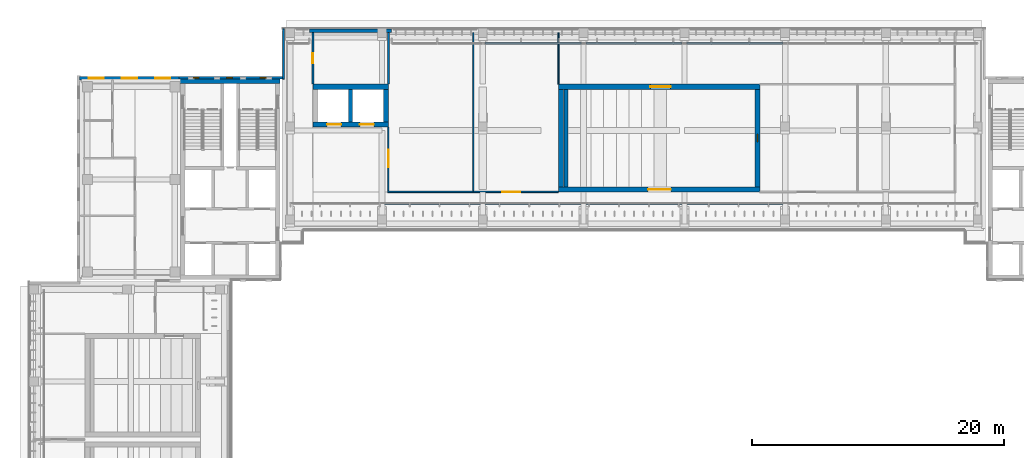
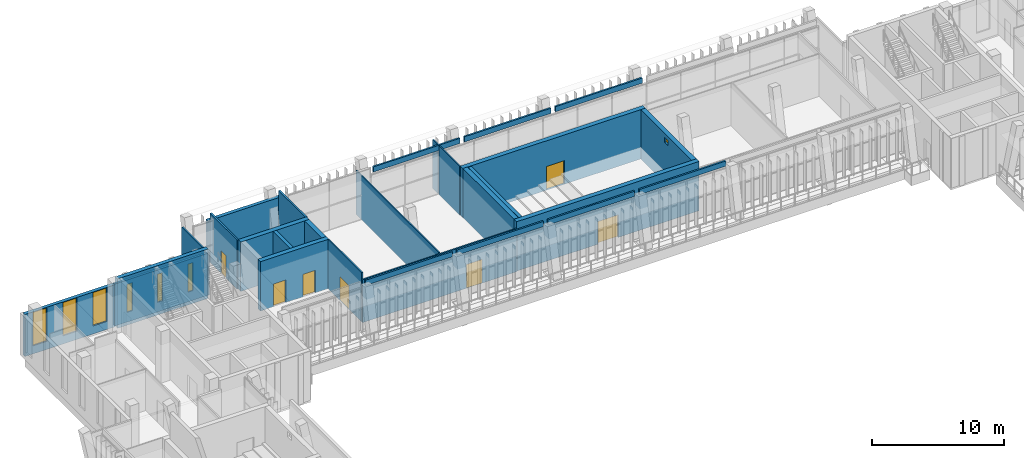
# One storey, part 48 of 74: 28 walls, 7 doors, 7 windows, 14 openings.
"""IFC4 building model written with IfcOpenShell, lengths in metres."""

from ifc_helpers import new_model, si_unit, direction, frame, frame_2d, origin, place, context, subcontext, project, spatial, rectangle, extrude, material, layer, layer_set, type_object, element, fill, save


model = new_model("IFC4")

# Units and contexts
model_context = context("Model", 3, precision=1e-05, world=origin(), true_north=direction((0.0, 1.0)))
body_context = subcontext(model_context, "Body", "Model", "MODEL_VIEW")
ifc_project = project(units=[si_unit("LENGTHUNIT", "METRE"), si_unit("AREAUNIT", "SQUARE_METRE"), si_unit("VOLUMEUNIT", "CUBIC_METRE"), si_unit("PLANEANGLEUNIT", "RADIAN"), si_unit("MASSUNIT", "GRAM", prefix="KILO")], contexts=[model_context])

# Site, building, storey
site_placement = place(None, origin())
site = spatial("IfcSite", under=ifc_project, at=site_placement, CompositionType="ELEMENT")
building_placement = place(site_placement, origin())
building = spatial("IfcBuilding", under=site, at=building_placement, Name="Lantern Court Media Centre", CompositionType="ELEMENT")
storey_placement = place(building_placement, frame((0.0, 0.0, 19.199951171875)))
storey = spatial("IfcBuildingStorey", under=building, at=storey_placement, Name="L04", CompositionType="ELEMENT", Elevation=19.199951171875)

# Wall, opening, door
ifc_material_1 = material(Name="Gypsum board partition")
ifc_layer_1 = layer(ifc_material_1, 0.125)
ifc_layer_set_1 = layer_set([ifc_layer_1], Name="Gypsum board partition")
wall_type_1 = type_object("IfcWallType", Name="Corridor partition 125", PredefinedType="PARTITIONING", material=ifc_layer_set_1)
wall_1_placement = place(storey_placement, frame((32.5, 103.112548828125, 0.0), z_axis=(0.0, 0.0, 1.0), x_axis=(0.0, 1.0, 0.0)))
wall_1 = element("IfcWall", 1, at=wall_1_placement, inside=storey, type_object=wall_type_1, Name="L04 partition 007", PredefinedType="PARTITIONING", context=body_context, shape_type="SweptSolid", body=[
    extrude(rectangle(XDim=5.08251953125, YDim=0.125, at=frame_2d((2.541259765625, 0.0))), origin(), (0.0, 0.0, 1.0), 4.56005859375),
])
opening_1_placement = place(wall_1_placement, frame((1.903564453125, 0.0, 0.0)))
opening_1 = element("IfcOpeningElement", 2, at=opening_1_placement, cuts=wall_1, Name="Opening L04-010", PredefinedType="OPENING", context=body_context, shape_type="SweptSolid", body=[
    extrude(rectangle(XDim=1.39990234375, YDim=2.199951171875, at=frame_2d((0.699951171875, 1.10009765625))), frame((0.0, 0.072509765625, 0.0), z_axis=(0.0, -1.0, 0.0), x_axis=(1.0, 0.0, 0.0)), (0.0, 0.0, 1.0), 0.14501953125),
])
ifc_material_2 = material(Name="Solid-core timber door leaf", Category="wood")
door_type_1 = type_object("IfcDoorType", Name="Double door 1400x2200", OperationType="NOTDEFINED", PredefinedType="DOOR", material=ifc_material_2)
door_1_placement = place(opening_1_placement, frame((1.39990234375, 0.0, 0.0), z_axis=(0.0, 0.0, 1.0), x_axis=(-1.0, 0.0, 0.0)))
door_1 = element("IfcDoor", 3, at=door_1_placement, inside=storey, type_object=door_type_1, Name="L04 Production Office 05 door", OperationType="DOUBLE_DOOR_SINGLE_SWING", OverallHeight=2.199951171875, OverallWidth=1.39990234375, PredefinedType="DOOR", context=body_context, shape_type="SweptSolid", body=[
    extrude(rectangle(XDim=1.39990234375, YDim=2.199951171875, at=frame_2d((0.699951171875, 1.10009765625))), frame((0.0, 0.02490234375, 0.0), z_axis=(0.0, -1.0, 0.0), x_axis=(1.0, 0.0, 0.0)), (0.0, 0.0, 1.0), 0.050048828125),
])
fill(opening_1, door_1)

wall_2_placement = place(storey_placement, frame((32.4375, 103.050048828125, 0.0), z_axis=(0.0, 0.0, 1.0), x_axis=(1.0, 0.0, 0.0)))
wall_2 = element("IfcWall", 4, at=wall_2_placement, inside=storey, type_object=wall_type_1, Name="L04 partition 019", PredefinedType="PARTITIONING", context=body_context, shape_type="SweptSolid", body=[
    extrude(rectangle(XDim=13.5625, YDim=0.125, at=frame_2d((6.78125, 0.0))), origin(), (0.0, 0.0, 1.0), 3.97998046875),
])
opening_2_placement = place(wall_2_placement, frame((9.115966796875, 0.0, 0.0)))
opening_2 = element("IfcOpeningElement", 5, at=opening_2_placement, cuts=wall_2, Name="Opening L04-011", PredefinedType="OPENING", context=body_context, shape_type="SweptSolid", body=[
    extrude(rectangle(XDim=1.39990234375, YDim=2.199951171875, at=frame_2d((0.699951171875, 1.10009765625))), frame((0.0, 0.072509765625, 0.0), z_axis=(0.0, -1.0, 0.0), x_axis=(1.0, 0.0, 0.0)), (0.0, 0.0, 1.0), 0.14501953125),
])
door_2_placement = place(opening_2_placement, origin())
door_2 = element("IfcDoor", 6, at=door_2_placement, inside=storey, type_object=door_type_1, Name="L04 Production Office 06 door", OperationType="DOUBLE_DOOR_SINGLE_SWING", OverallHeight=2.199951171875, OverallWidth=1.39990234375, PredefinedType="DOOR", context=body_context, shape_type="SweptSolid", body=[
    extrude(rectangle(XDim=1.39990234375, YDim=2.199951171875, at=frame_2d((0.699951171875, 1.10009765625))), frame((0.0, 0.02490234375, 0.0), z_axis=(0.0, -1.0, 0.0), x_axis=(1.0, 0.0, 0.0)), (0.0, 0.0, 1.0), 0.050048828125),
])
fill(opening_2, door_2)

# Walls
ifc_material_3 = material(Name="Insulated rendered blockwork", Category="masonry")
ifc_layer_2 = layer(ifc_material_3, 0.14990234375)
ifc_layer_set_2 = layer_set([ifc_layer_2], Name="Insulated rendered blockwork")
wall_type_2 = type_object("IfcWallType", Name="Head infill wall 150", PredefinedType="SOLIDWALL", material=ifc_layer_set_2)
for number, where, z_axis, x_axis, name in (
    (7, (40.199951171875, 114.85009765625, 4.10009765625), (0.0, 0.0, 1.0), (1.0, 0.0, 0.0), "Head infill wall N outer L04"),
    (8, (48.199951171875, 114.85009765625, 4.10009765625), (0.0, 0.0, 1.0), (1.0, 0.0, 0.0), "Head infill wall N outer L04"),
    (9, (56.199951171875, 114.85009765625, 4.10009765625), (0.0, 0.0, 1.0), (1.0, 0.0, 0.0), "Head infill wall N outer L04"),
    (10, (32.199951171875, 102.14990234375, 4.10009765625), (0.0, 0.0, 1.0), (1.0, 0.0, 0.0), "Head infill wall N inner L04"),
    (11, (40.199951171875, 102.14990234375, 4.10009765625), (0.0, 0.0, 1.0), (1.0, 0.0, 0.0), "Head infill wall N inner L04"),
    (12, (48.199951171875, 102.14990234375, 4.10009765625), (0.0, 0.0, 1.0), (1.0, 0.0, 0.0), "Head infill wall N inner L04"),
    (13, (56.199951171875, 102.14990234375, 4.10009765625), (0.0, 0.0, 1.0), (1.0, 0.0, 0.0), "Head infill wall N inner L04"),
):
    element("IfcWall", number, at=place(storey_placement, frame(where, z_axis=z_axis, x_axis=x_axis)), inside=storey, type_object=wall_type_2, Name=name, PredefinedType="SOLIDWALL", context=body_context, shape_type="SweptSolid", body=[
        extrude(rectangle(XDim=7.60009765625, YDim=0.14990234375, at=frame_2d((3.800048828125, 0.0))), origin(), (0.0, 0.0, 1.0), 0.47998046875),
    ])

# Wall, openings, windows
ifc_material_4 = material(Name="Honed limestone cladding on blockwork", Category="masonry")
ifc_layer_3 = layer(ifc_material_4, 0.300048828125)
ifc_layer_set_3 = layer_set([ifc_layer_3], Name="Honed limestone cladding on blockwork")
wall_type_3 = type_object("IfcWallType", Name="Limestone block wall 300", PredefinedType="SOLIDWALL", material=ifc_layer_set_3)
wall_3_placement = place(storey_placement, frame((8.0, 112.070068359375, 0.0), z_axis=(0.0, 0.0, 1.0), x_axis=(1.0, 0.0, 0.0)))
wall_3 = element("IfcWall", 14, at=wall_3_placement, inside=storey, type_object=wall_type_3, Name="Limestone wall NW N L04", PredefinedType="SOLIDWALL", context=body_context, shape_type="SweptSolid", body=[
    extrude(rectangle(XDim=7.89990234375, YDim=0.300048828125, at=frame_2d((3.949951171875, 0.0))), origin(), (0.0, 0.0, 1.0), 3.900146484375),
])
opening_3_placement = place(wall_3_placement, frame((0.716552734375, 0.0, 0.75)))
opening_3 = element("IfcOpeningElement", 15, at=opening_3_placement, cuts=wall_3, Name="Opening WN-T", PredefinedType="OPENING", context=body_context, shape_type="SweptSolid", body=[
    extrude(rectangle(XDim=1.199951171875, YDim=3.10009765625, at=frame_2d((0.60009765625, 1.550048828125))), frame((0.0, 0.159912109375, 0.0), z_axis=(0.0, -1.0, 0.0), x_axis=(1.0, 0.0, 0.0)), (0.0, 0.0, 1.0), 0.320068359375),
])
opening_4_placement = place(wall_3_placement, frame((3.35009765625, 0.0, 0.75)))
opening_4 = element("IfcOpeningElement", 16, at=opening_4_placement, cuts=wall_3, Name="Opening WN-T", PredefinedType="OPENING", context=body_context, shape_type="SweptSolid", body=[
    extrude(rectangle(XDim=1.199951171875, YDim=3.10009765625, at=frame_2d((0.60009765625, 1.550048828125))), frame((0.0, 0.159912109375, 0.0), z_axis=(0.0, -1.0, 0.0), x_axis=(1.0, 0.0, 0.0)), (0.0, 0.0, 1.0), 0.320068359375),
])
opening_5_placement = place(wall_3_placement, frame((5.9833984375, 0.0, 0.75)))
opening_5 = element("IfcOpeningElement", 17, at=opening_5_placement, cuts=wall_3, Name="Opening WN-T", PredefinedType="OPENING", context=body_context, shape_type="SweptSolid", body=[
    extrude(rectangle(XDim=1.199951171875, YDim=3.10009765625, at=frame_2d((0.60009765625, 1.550048828125))), frame((0.0, 0.159912109375, 0.0), z_axis=(0.0, -1.0, 0.0), x_axis=(1.0, 0.0, 0.0)), (0.0, 0.0, 1.0), 0.320068359375),
])
ifc_material_5 = material(Name="Anodised aluminium and glass", Category="aluminium")
window_type_1 = type_object("IfcWindowType", Name="Tall window 1200x3100", PartitioningType="SINGLE_PANEL", PredefinedType="WINDOW", material=ifc_material_5)
window_1_placement = place(opening_3_placement, origin())
window_1 = element("IfcWindow", 18, at=window_1_placement, inside=storey, type_object=window_type_1, Name="Window NW N L04", OverallHeight=3.10009765625, OverallWidth=1.199951171875, PartitioningType="SINGLE_PANEL", PredefinedType="WINDOW", context=body_context, shape_type="SweptSolid", body=[
    extrude(rectangle(XDim=1.199951171875, YDim=3.10009765625, at=frame_2d((0.60009765625, 1.550048828125))), frame((0.0, 0.030029296875, 0.0), z_axis=(0.0, -1.0, 0.0), x_axis=(1.0, 0.0, 0.0)), (0.0, 0.0, 1.0), 0.06005859375),
])
fill(opening_3, window_1)
window_2_placement = place(opening_4_placement, origin())
window_2 = element("IfcWindow", 19, at=window_2_placement, inside=storey, type_object=window_type_1, Name="Window NW N L04", OverallHeight=3.10009765625, OverallWidth=1.199951171875, PartitioningType="SINGLE_PANEL", PredefinedType="WINDOW", context=body_context, shape_type="SweptSolid", body=[
    extrude(rectangle(XDim=1.199951171875, YDim=3.10009765625, at=frame_2d((0.60009765625, 1.550048828125))), frame((0.0, 0.030029296875, 0.0), z_axis=(0.0, -1.0, 0.0), x_axis=(1.0, 0.0, 0.0)), (0.0, 0.0, 1.0), 0.06005859375),
])
fill(opening_4, window_2)
window_3_placement = place(opening_5_placement, origin())
window_3 = element("IfcWindow", 20, at=window_3_placement, inside=storey, type_object=window_type_1, Name="Window NW N L04", OverallHeight=3.10009765625, OverallWidth=1.199951171875, PartitioningType="SINGLE_PANEL", PredefinedType="WINDOW", context=body_context, shape_type="SweptSolid", body=[
    extrude(rectangle(XDim=1.199951171875, YDim=3.10009765625, at=frame_2d((0.60009765625, 1.550048828125))), frame((0.0, 0.030029296875, 0.0), z_axis=(0.0, -1.0, 0.0), x_axis=(1.0, 0.0, 0.0)), (0.0, 0.0, 1.0), 0.06005859375),
])
fill(opening_5, window_3)

# Walls
ifc_layer_4 = layer(ifc_material_4, 0.139892578125)
ifc_layer_set_4 = layer_set([ifc_layer_4], Name="Honed limestone cladding on blockwork")
wall_type_4 = type_object("IfcWallType", Name="Limestone closure wall 140", PredefinedType="SOLIDWALL", material=ifc_layer_set_4)
wall_4_placement = place(storey_placement, frame((24.169921875, 112.0, 0.0), z_axis=(0.0, 0.0, 1.0), x_axis=(0.0, 1.0, 0.0)))
element("IfcWall", 21, at=wall_4_placement, inside=storey, type_object=wall_type_4, Name="Limestone closure wall N-NW L04", PredefinedType="SOLIDWALL", context=body_context, shape_type="SweptSolid", body=[
    extrude(rectangle(XDim=4.0, YDim=0.139892578125, at=frame_2d((2.0, 0.0))), origin(), (0.0, 0.0, 1.0), 3.900146484375),
])
ifc_layer_5 = layer(ifc_material_4, 0.300048828125)
ifc_layer_set_5 = layer_set([ifc_layer_5], Name="Honed limestone cladding on blockwork")
wall_type_5 = type_object("IfcWallType", Name="Limestone flank wall 300", PredefinedType="SOLIDWALL", material=ifc_layer_set_5)
wall_5_placement = place(storey_placement, frame((26.25, 115.85009765625, 0.0), z_axis=(0.0, 0.0, 1.0), x_axis=(1.0, 0.0, 0.0)))
element("IfcWall", 22, at=wall_5_placement, inside=storey, type_object=wall_type_5, Name="Limestone flank wall N outer L04", PredefinedType="SOLIDWALL", context=body_context, shape_type="SweptSolid", body=[
    extrude(rectangle(XDim=6.5, YDim=0.300048828125, at=frame_2d((3.25, 0.0))), origin(), (0.0, 0.0, 1.0), 3.900146484375),
])

# Wall, openings, windows
ifc_material_6 = material(Name="Honed limestone cladding on blockwork, reduced to 220 where it passes the core wall", Category="masonry")
ifc_layer_6 = layer(ifc_material_6, 0.219970703125)
ifc_layer_set_6 = layer_set([ifc_layer_6], Name="Honed limestone cladding on blockwork, reduced to 220 where it passes the core wall")
wall_type_6 = type_object("IfcWallType", Name="Limestone skin wall 220", PredefinedType="SOLIDWALL", material=ifc_layer_set_6)
wall_6_placement = place(storey_placement, frame((15.89990234375, 112.110107421875, 0.0), z_axis=(0.0, 0.0, 1.0), x_axis=(1.0, 0.0, 0.0)))
wall_6 = element("IfcWall", 23, at=wall_6_placement, inside=storey, type_object=wall_type_6, Name="Limestone wall NW N L04", PredefinedType="SOLIDWALL", context=body_context, shape_type="SweptSolid", body=[
    extrude(rectangle(XDim=8.2001953125, YDim=0.219970703125, at=frame_2d((4.10009765625, 0.0))), origin(), (0.0, 0.0, 1.0), 3.900146484375),
])
opening_6_placement = place(wall_6_placement, frame((1.1083984375, 0.0, 0.89990234375)))
opening_6 = element("IfcOpeningElement", 24, at=opening_6_placement, cuts=wall_6, Name="Opening WN-S", PredefinedType="OPENING", context=body_context, shape_type="SweptSolid", body=[
    extrude(rectangle(XDim=0.449951171875, YDim=2.60009765625, at=frame_2d((0.22509765625, 1.300048828125))), frame((0.0, 0.119873046875, 0.0), z_axis=(0.0, -1.0, 0.0), x_axis=(1.0, 0.0, 0.0)), (0.0, 0.0, 1.0), 0.239990234375),
])
opening_7_placement = place(wall_6_placement, frame((3.77490234375, 0.0, 0.89990234375)))
opening_7 = element("IfcOpeningElement", 25, at=opening_7_placement, cuts=wall_6, Name="Opening WN-S", PredefinedType="OPENING", context=body_context, shape_type="SweptSolid", body=[
    extrude(rectangle(XDim=0.449951171875, YDim=2.60009765625, at=frame_2d((0.22509765625, 1.300048828125))), frame((0.0, 0.119873046875, 0.0), z_axis=(0.0, -1.0, 0.0), x_axis=(1.0, 0.0, 0.0)), (0.0, 0.0, 1.0), 0.239990234375),
])
opening_8_placement = place(wall_6_placement, frame((6.441650390625, 0.0, 0.89990234375)))
opening_8 = element("IfcOpeningElement", 26, at=opening_8_placement, cuts=wall_6, Name="Opening WN-S", PredefinedType="OPENING", context=body_context, shape_type="SweptSolid", body=[
    extrude(rectangle(XDim=0.449951171875, YDim=2.60009765625, at=frame_2d((0.22509765625, 1.300048828125))), frame((0.0, 0.119873046875, 0.0), z_axis=(0.0, -1.0, 0.0), x_axis=(1.0, 0.0, 0.0)), (0.0, 0.0, 1.0), 0.239990234375),
])
window_type_2 = type_object("IfcWindowType", Name="Stair slit window 450x2600", PartitioningType="SINGLE_PANEL", PredefinedType="WINDOW", material=ifc_material_5)
window_4_placement = place(opening_6_placement, origin())
window_4 = element("IfcWindow", 27, at=window_4_placement, inside=storey, type_object=window_type_2, Name="Window NW N L04", OverallHeight=2.60009765625, OverallWidth=0.449951171875, PartitioningType="SINGLE_PANEL", PredefinedType="WINDOW", context=body_context, shape_type="SweptSolid", body=[
    extrude(rectangle(XDim=0.449951171875, YDim=2.60009765625, at=frame_2d((0.22509765625, 1.300048828125))), frame((0.0, 0.030029296875, 0.0), z_axis=(0.0, -1.0, 0.0), x_axis=(1.0, 0.0, 0.0)), (0.0, 0.0, 1.0), 0.06005859375),
])
fill(opening_6, window_4)
window_5_placement = place(opening_7_placement, origin())
window_5 = element("IfcWindow", 28, at=window_5_placement, inside=storey, type_object=window_type_2, Name="Window NW N L04", OverallHeight=2.60009765625, OverallWidth=0.449951171875, PartitioningType="SINGLE_PANEL", PredefinedType="WINDOW", context=body_context, shape_type="SweptSolid", body=[
    extrude(rectangle(XDim=0.449951171875, YDim=2.60009765625, at=frame_2d((0.22509765625, 1.300048828125))), frame((0.0, 0.030029296875, 0.0), z_axis=(0.0, -1.0, 0.0), x_axis=(1.0, 0.0, 0.0)), (0.0, 0.0, 1.0), 0.06005859375),
])
fill(opening_7, window_5)
window_6_placement = place(opening_8_placement, origin())
window_6 = element("IfcWindow", 29, at=window_6_placement, inside=storey, type_object=window_type_2, Name="Window NW N L04", OverallHeight=2.60009765625, OverallWidth=0.449951171875, PartitioningType="SINGLE_PANEL", PredefinedType="WINDOW", context=body_context, shape_type="SweptSolid", body=[
    extrude(rectangle(XDim=0.449951171875, YDim=2.60009765625, at=frame_2d((0.22509765625, 1.300048828125))), frame((0.0, 0.030029296875, 0.0), z_axis=(0.0, -1.0, 0.0), x_axis=(1.0, 0.0, 0.0)), (0.0, 0.0, 1.0), 0.06005859375),
])
fill(opening_8, window_6)

# Walls
ifc_layer_7 = layer(ifc_material_1, 0.10009765625)
ifc_layer_set_7 = layer_set([ifc_layer_7], Name="Gypsum board partition")
wall_type_7 = type_object("IfcWallType", Name="Partition 100", PredefinedType="PARTITIONING", material=ifc_layer_set_7)
wall_7_placement = place(storey_placement, frame((46.0, 111.60498046875, 0.0), z_axis=(0.0, 0.0, 1.0), x_axis=(0.0, 1.0, 0.0)))
element("IfcWall", 30, at=wall_7_placement, inside=storey, type_object=wall_type_7, Name="L04 partition 015", PredefinedType="PARTITIONING", context=body_context, shape_type="SweptSolid", body=[
    extrude(rectangle(XDim=3.1650390625, YDim=0.10009765625, at=frame_2d((1.58251953125, 0.0))), origin(), (0.0, 0.0, 1.0), 4.56005859375),
])
wall_8_placement = place(storey_placement, frame((46.0, 114.929931640625, 0.0), z_axis=(0.0, 0.0, 1.0), x_axis=(0.0, 1.0, 0.0)))
element("IfcWall", 31, at=wall_8_placement, inside=storey, type_object=wall_type_7, Name="L04 partition 016", PredefinedType="PARTITIONING", context=body_context, shape_type="SweptSolid", body=[
    extrude(rectangle(XDim=0.77001953125, YDim=0.10009765625, at=frame_2d((0.385009765625, 0.0))), origin(), (0.0, 0.0, 1.0), 4.56005859375),
])
wall_9_placement = place(storey_placement, frame((39.25, 103.112548828125, 0.0), z_axis=(0.0, 0.0, 1.0), x_axis=(0.0, 1.0, 0.0)))
element("IfcWall", 32, at=wall_9_placement, inside=storey, type_object=wall_type_7, Name="L04 partition 018", PredefinedType="PARTITIONING", context=body_context, shape_type="SweptSolid", body=[
    extrude(rectangle(XDim=12.58740234375, YDim=0.10009765625, at=frame_2d((6.293701171875, 0.0))), origin(), (0.0, 0.0, 1.0), 4.080078125),
])
ifc_material_7 = material(Name="Concrete C40", Category="concrete")
ifc_layer_8 = layer(ifc_material_7, 0.35009765625)
ifc_layer_set_8 = layer_set([ifc_layer_8], Name="Concrete C40")
wall_type_8 = type_object("IfcWallType", Name="RC CORE WALL 350", PredefinedType="SHEAR", material=ifc_layer_set_8)
wall_10_placement = place(storey_placement, frame((15.949951171875, 111.824951171875, 0.0), z_axis=(0.0, 0.0, 1.0), x_axis=(1.0, 0.0, 0.0)))
element("IfcWall", 33, at=wall_10_placement, inside=storey, type_object=wall_type_8, Name="WC-NW-L04-N", PredefinedType="SHEAR", context=body_context, shape_type="SweptSolid", body=[
    extrude(rectangle(XDim=7.949951171875, YDim=0.35009765625, at=frame_2d((3.97509765625, 0.0))), origin(), (0.0, 0.0, 1.0), 4.580078125),
])
ifc_layer_9 = layer(ifc_material_7, 0.300048828125)
ifc_layer_set_9 = layer_set([ifc_layer_9], Name="Concrete C40")
wall_type_9 = type_object("IfcWallType", Name="RC SHEAR WALL 300", PredefinedType="SHEAR", material=ifc_layer_set_9)
wall_11_placement = place(storey_placement, frame((29.5, 108.60009765625, 0.0), z_axis=(0.0, 0.0, 1.0), x_axis=(0.0, 1.0, 0.0)))
element("IfcWall", 34, at=wall_11_placement, inside=storey, type_object=wall_type_9, Name="WB-N-LC-L04-D", PredefinedType="SHEAR", context=body_context, shape_type="SweptSolid", body=[
    extrude(rectangle(XDim=2.599853515625, YDim=0.300048828125, at=frame_2d((1.2998046875, 0.0))), origin(), (0.0, 0.0, 1.0), 4.580078125),
])

# Wall, openings, doors
ifc_layer_10 = layer(ifc_material_7, 0.39990234375)
ifc_layer_set_10 = layer_set([ifc_layer_10], Name="Concrete C40")
wall_type_10 = type_object("IfcWallType", Name="RC SHEAR WALL 400", PredefinedType="SHEAR", material=ifc_layer_set_10)
wall_12_placement = place(storey_placement, frame((26.5, 108.39990234375, 0.0), z_axis=(0.0, 0.0, 1.0), x_axis=(1.0, 0.0, 0.0)))
wall_12 = element("IfcWall", 35, at=wall_12_placement, inside=storey, type_object=wall_type_10, Name="WB-N-LC-L04-S", PredefinedType="SHEAR", context=body_context, shape_type="SweptSolid", body=[
    extrude(rectangle(XDim=6.0, YDim=0.39990234375, at=frame_2d((3.0, 0.0))), origin(), (0.0, 0.0, 1.0), 4.580078125),
])
opening_9_placement = place(wall_12_placement, frame((1.14990234375, 0.0, 0.0)))
opening_9 = element("IfcOpeningElement", 36, at=opening_9_placement, cuts=wall_12, Name="Opening LD-N-LCP-L04", PredefinedType="OPENING", context=body_context, shape_type="SweptSolid", body=[
    extrude(rectangle(XDim=1.10009765625, YDim=2.10009765625, at=frame_2d((0.550048828125, 1.050048828125))), frame((0.0, 0.2099609375, 0.0), z_axis=(0.0, -1.0, 0.0), x_axis=(1.0, 0.0, 0.0)), (0.0, 0.0, 1.0), 0.419921875),
])
opening_10_placement = place(wall_12_placement, frame((3.75, 0.0, 0.0)))
opening_10 = element("IfcOpeningElement", 37, at=opening_10_placement, cuts=wall_12, Name="Opening LD-N-LCS-L04", PredefinedType="OPENING", context=body_context, shape_type="SweptSolid", body=[
    extrude(rectangle(XDim=1.10009765625, YDim=2.10009765625, at=frame_2d((0.550048828125, 1.050048828125))), frame((0.0, 0.2099609375, 0.0), z_axis=(0.0, -1.0, 0.0), x_axis=(1.0, 0.0, 0.0)), (0.0, 0.0, 1.0), 0.419921875),
])
ifc_material_8 = material(Name="Steel door leaf", Category="steel")
door_type_2 = type_object("IfcDoorType", Name="Lift landing door 1100x2100", OperationType="DOUBLE_DOOR_SLIDING", PredefinedType="DOOR", material=ifc_material_8)
door_3_placement = place(opening_9_placement, frame((1.10009765625, 0.0, 0.0), z_axis=(0.0, 0.0, 1.0), x_axis=(-1.0, 0.0, 0.0)))
door_3 = element("IfcDoor", 38, at=door_3_placement, inside=storey, type_object=door_type_2, Name="L04 N-LC passenger lift landing door", OperationType="DOUBLE_DOOR_SLIDING", OverallHeight=2.10009765625, OverallWidth=1.10009765625, PredefinedType="DOOR", context=body_context, shape_type="SweptSolid", body=[
    extrude(rectangle(XDim=1.10009765625, YDim=2.10009765625, at=frame_2d((0.550048828125, 1.050048828125))), frame((0.0, 0.02490234375, 0.0), z_axis=(0.0, -1.0, 0.0), x_axis=(1.0, 0.0, 0.0)), (0.0, 0.0, 1.0), 0.050048828125),
])
fill(opening_9, door_3)
door_4_placement = place(opening_10_placement, frame((1.10009765625, 0.0, 0.0), z_axis=(0.0, 0.0, 1.0), x_axis=(-1.0, 0.0, 0.0)))
door_4 = element("IfcDoor", 39, at=door_4_placement, inside=storey, type_object=door_type_2, Name="L04 N-LC service lift landing door", OperationType="DOUBLE_DOOR_SLIDING", OverallHeight=2.10009765625, OverallWidth=1.10009765625, PredefinedType="DOOR", context=body_context, shape_type="SweptSolid", body=[
    extrude(rectangle(XDim=1.10009765625, YDim=2.10009765625, at=frame_2d((0.550048828125, 1.050048828125))), frame((0.0, 0.02490234375, 0.0), z_axis=(0.0, -1.0, 0.0), x_axis=(1.0, 0.0, 0.0)), (0.0, 0.0, 1.0), 0.050048828125),
])
fill(opening_10, door_4)

# Walls
wall_13_placement = place(storey_placement, frame((26.5, 111.39990234375, 0.0), z_axis=(0.0, 0.0, 1.0), x_axis=(1.0, 0.0, 0.0)))
element("IfcWall", 40, at=wall_13_placement, inside=storey, type_object=wall_type_10, Name="WB-N-LC-L04-N", PredefinedType="SHEAR", context=body_context, shape_type="SweptSolid", body=[
    extrude(rectangle(XDim=6.0, YDim=0.39990234375, at=frame_2d((3.0, 0.0))), origin(), (0.0, 0.0, 1.0), 4.580078125),
])
wall_14_placement = place(storey_placement, frame((32.300048828125, 108.60009765625, 0.0), z_axis=(0.0, 0.0, 1.0), x_axis=(0.0, 1.0, 0.0)))
element("IfcWall", 41, at=wall_14_placement, inside=storey, type_object=wall_type_10, Name="WB-N-LC-L04-E", PredefinedType="SHEAR", context=body_context, shape_type="SweptSolid", body=[
    extrude(rectangle(XDim=2.599853515625, YDim=0.39990234375, at=frame_2d((1.2998046875, 0.0))), origin(), (0.0, 0.0, 1.0), 4.580078125),
])

# Wall, opening, door
wall_15_placement = place(storey_placement, frame((46.0, 103.25, 0.0), z_axis=(0.0, 0.0, 1.0), x_axis=(1.0, 0.0, 0.0)))
wall_15 = element("IfcWall", 42, at=wall_15_placement, inside=storey, type_object=wall_type_10, Name="WB-N-PRV-L04-S", PredefinedType="SHEAR", context=body_context, shape_type="SweptSolid", body=[
    extrude(rectangle(XDim=16.0, YDim=0.39990234375, at=frame_2d((8.0, 0.0))), origin(), (0.0, 0.0, 1.0), 4.580078125),
])
opening_11_placement = place(wall_15_placement, frame((7.133544921875, 0.0, 0.0)))
opening_11 = element("IfcOpeningElement", 43, at=opening_11_placement, cuts=wall_15, Name="Opening L04-008", PredefinedType="OPENING", context=body_context, shape_type="SweptSolid", body=[
    extrude(rectangle(XDim=1.800048828125, YDim=2.10009765625, at=frame_2d((0.89990234375, 1.050048828125))), frame((0.0, 0.2099609375, 0.0), z_axis=(0.0, -1.0, 0.0), x_axis=(1.0, 0.0, 0.0)), (0.0, 0.0, 1.0), 0.419921875),
])
door_type_3 = type_object("IfcDoorType", Name="Double door 1800x2100", OperationType="NOTDEFINED", PredefinedType="DOOR", material=ifc_material_2)
door_5_placement = place(opening_11_placement, frame((1.800048828125, 0.0, 0.0), z_axis=(0.0, 0.0, 1.0), x_axis=(-1.0, 0.0, 0.0)))
door_5 = element("IfcDoor", 44, at=door_5_placement, inside=storey, type_object=door_type_3, Name="L04 Preview Theatre door", OperationType="DOUBLE_DOOR_SINGLE_SWING", OverallHeight=2.10009765625, OverallWidth=1.800048828125, PredefinedType="DOOR", context=body_context, shape_type="SweptSolid", body=[
    extrude(rectangle(XDim=1.800048828125, YDim=2.10009765625, at=frame_2d((0.89990234375, 1.050048828125))), frame((0.0, 0.02490234375, 0.0), z_axis=(0.0, -1.0, 0.0), x_axis=(1.0, 0.0, 0.0)), (0.0, 0.0, 1.0), 0.050048828125),
])
fill(opening_11, door_5)

wall_16_placement = place(storey_placement, frame((46.0, 111.39990234375, 0.0), z_axis=(0.0, 0.0, 1.0), x_axis=(1.0, 0.0, 0.0)))
wall_16 = element("IfcWall", 45, at=wall_16_placement, inside=storey, type_object=wall_type_10, Name="WB-N-PRV-L04-N", PredefinedType="SHEAR", context=body_context, shape_type="SweptSolid", body=[
    extrude(rectangle(XDim=16.0, YDim=0.39990234375, at=frame_2d((8.0, 0.0))), origin(), (0.0, 0.0, 1.0), 4.580078125),
])
opening_12_placement = place(wall_16_placement, frame((7.3115234375, 0.0, 0.0)))
opening_12 = element("IfcOpeningElement", 46, at=opening_12_placement, cuts=wall_16, Name="Opening L04-045", PredefinedType="OPENING", context=body_context, shape_type="SweptSolid", body=[
    extrude(rectangle(XDim=1.60009765625, YDim=2.199951171875, at=frame_2d((0.800048828125, 1.10009765625))), frame((0.0, 0.2099609375, 0.0), z_axis=(0.0, -1.0, 0.0), x_axis=(1.0, 0.0, 0.0)), (0.0, 0.0, 1.0), 0.419921875),
])
door_type_4 = type_object("IfcDoorType", Name="Double door 1600x2200", OperationType="NOTDEFINED", PredefinedType="DOOR", material=ifc_material_2)
door_6_placement = place(opening_12_placement, frame((1.60009765625, 0.0, 0.0), z_axis=(0.0, 0.0, 1.0), x_axis=(-1.0, 0.0, 0.0)))
door_6 = element("IfcDoor", 47, at=door_6_placement, inside=storey, type_object=door_type_4, Name="L04 Preview Theatre Foyer door", OperationType="DOUBLE_DOOR_SINGLE_SWING", OverallHeight=2.199951171875, OverallWidth=1.60009765625, PredefinedType="DOOR", context=body_context, shape_type="SweptSolid", body=[
    extrude(rectangle(XDim=1.60009765625, YDim=2.199951171875, at=frame_2d((0.800048828125, 1.10009765625))), frame((0.0, 0.02490234375, 0.0), z_axis=(0.0, -1.0, 0.0), x_axis=(1.0, 0.0, 0.0)), (0.0, 0.0, 1.0), 0.050048828125),
])
fill(opening_12, door_6)

# Wall
wall_17_placement = place(storey_placement, frame((46.199951171875, 103.449951171875, 0.0), z_axis=(0.0, 0.0, 1.0), x_axis=(0.0, 1.0, 0.0)))
element("IfcWall", 48, at=wall_17_placement, inside=storey, type_object=wall_type_10, Name="WB-N-PRV-L04-W", PredefinedType="SHEAR", context=body_context, shape_type="SweptSolid", body=[
    extrude(rectangle(XDim=7.75, YDim=0.39990234375, at=frame_2d((3.875, 0.0))), origin(), (0.0, 0.0, 1.0), 4.580078125),
])

# Wall, opening, window
wall_18_placement = place(storey_placement, frame((61.800048828125, 103.449951171875, 0.0), z_axis=(0.0, 0.0, 1.0), x_axis=(0.0, 1.0, 0.0)))
wall_18 = element("IfcWall", 49, at=wall_18_placement, inside=storey, type_object=wall_type_10, Name="WB-N-PRV-L04-E", PredefinedType="SHEAR", context=body_context, shape_type="SweptSolid", body=[
    extrude(rectangle(XDim=7.75, YDim=0.39990234375, at=frame_2d((3.875, 0.0))), origin(), (0.0, 0.0, 1.0), 4.580078125),
])
opening_13_placement = place(wall_18_placement, frame((3.574951171875, 0.0, 3.719970703125)))
opening_13 = element("IfcOpeningElement", 50, at=opening_13_placement, cuts=wall_18, Name="Opening WN-P", PredefinedType="OPENING", context=body_context, shape_type="SweptSolid", body=[
    extrude(rectangle(XDim=0.60009765625, YDim=0.5, at=frame_2d((0.300048828125, 0.25))), frame((0.0, 0.2099609375, 0.0), z_axis=(0.0, -1.0, 0.0), x_axis=(1.0, 0.0, 0.0)), (0.0, 0.0, 1.0), 0.419921875),
])
ifc_material_9 = material(Name="Laminated glass", Category="glass")
window_type_3 = type_object("IfcWindowType", Name="Projection port glazing", PartitioningType="SINGLE_PANEL", PredefinedType="WINDOW", material=ifc_material_9)
window_7_placement = place(opening_13_placement, origin())
window_7 = element("IfcWindow", 51, at=window_7_placement, inside=storey, type_object=window_type_3, Name="Preview Theatre projection port", OverallHeight=0.5, OverallWidth=0.60009765625, PartitioningType="SINGLE_PANEL", PredefinedType="WINDOW", context=body_context, shape_type="SweptSolid", body=[
    extrude(rectangle(XDim=0.60009765625, YDim=0.5, at=frame_2d((0.300048828125, 0.25))), frame((0.0, 0.030029296875, 0.0), z_axis=(0.0, -1.0, 0.0), x_axis=(1.0, 0.0, 0.0)), (0.0, 0.0, 1.0), 0.06005859375),
])
fill(opening_13, window_7)

# Wall, opening, door
ifc_material_10 = material(Name="Fire-rated gypsum board")
ifc_layer_11 = layer(ifc_material_10, 0.159912109375)
ifc_layer_set_11 = layer_set([ifc_layer_11], Name="Fire-rated gypsum board")
wall_type_11 = type_object("IfcWallType", Name="Riser shaft liner wall 160", PredefinedType="PARTITIONING", material=ifc_layer_set_11)
wall_19_placement = place(storey_placement, frame((26.5, 111.60498046875, 0.0), z_axis=(0.0, 0.0, 1.0), x_axis=(0.0, 1.0, 0.0)))
wall_19 = element("IfcWall", 52, at=wall_19_placement, inside=storey, type_object=wall_type_11, Name="L04 partition 001", PredefinedType="PARTITIONING", context=body_context, shape_type="SweptSolid", body=[
    extrude(rectangle(XDim=4.090087890625, YDim=0.159912109375, at=frame_2d((2.044921875, 0.0))), origin(), (0.0, 0.0, 1.0), 4.56005859375),
])
opening_14_placement = place(wall_19_placement, frame((1.64501953125, 0.0, 0.0)))
opening_14 = element("IfcOpeningElement", 53, at=opening_14_placement, cuts=wall_19, Name="Opening L04-007", PredefinedType="OPENING", context=body_context, shape_type="SweptSolid", body=[
    extrude(rectangle(XDim=0.800048828125, YDim=2.10009765625, at=frame_2d((0.39990234375, 1.050048828125))), frame((0.0, 0.08984375, 0.0), z_axis=(0.0, -1.0, 0.0), x_axis=(1.0, 0.0, 0.0)), (0.0, 0.0, 1.0), 0.179931640625),
])
door_type_5 = type_object("IfcDoorType", Name="Riser access fire door 800x2100", OperationType="NOTDEFINED", PredefinedType="DOOR", material=ifc_material_8)
door_7_placement = place(opening_14_placement, frame((0.800048828125, 0.0, 0.0), z_axis=(0.0, 0.0, 1.0), x_axis=(-1.0, 0.0, 0.0)))
door_7 = element("IfcDoor", 54, at=door_7_placement, inside=storey, type_object=door_type_5, Name="L04 Services Duct door", OperationType="SINGLE_SWING_RIGHT", OverallHeight=2.10009765625, OverallWidth=0.800048828125, PredefinedType="DOOR", context=body_context, shape_type="SweptSolid", body=[
    extrude(rectangle(XDim=0.800048828125, YDim=2.10009765625, at=frame_2d((0.39990234375, 1.050048828125))), frame((0.0, 0.02490234375, 0.0), z_axis=(0.0, -1.0, 0.0), x_axis=(1.0, 0.0, 0.0)), (0.0, 0.0, 1.0), 0.050048828125),
])
fill(opening_14, door_7)

# Walls
wall_20_placement = place(storey_placement, frame((32.5, 111.60498046875, 0.0), z_axis=(0.0, 0.0, 1.0), x_axis=(0.0, 1.0, 0.0)))
element("IfcWall", 55, at=wall_20_placement, inside=storey, type_object=wall_type_11, Name="L04 partition 008", PredefinedType="PARTITIONING", context=body_context, shape_type="SweptSolid", body=[
    extrude(rectangle(XDim=4.090087890625, YDim=0.159912109375, at=frame_2d((2.044921875, 0.0))), origin(), (0.0, 0.0, 1.0), 4.56005859375),
])
ifc_material_11 = material(Name="Acoustic gypsum board")
ifc_layer_12 = layer(ifc_material_11, 0.300048828125)
ifc_layer_set_12 = layer_set([ifc_layer_12], Name="Acoustic gypsum board")
wall_type_12 = type_object("IfcWallType", Name="Screen wall 300", PredefinedType="PARTITIONING", material=ifc_layer_set_12)
wall_21_placement = place(storey_placement, frame((46.60009765625, 103.449951171875, 0.0), z_axis=(0.0, 0.0, 1.0), x_axis=(0.0, 1.0, 0.0)))
element("IfcWall", 56, at=wall_21_placement, inside=storey, type_object=wall_type_12, Name="Preview Theatre screen wall", PredefinedType="PARTITIONING", context=body_context, shape_type="SweptSolid", body=[
    extrude(rectangle(XDim=7.75, YDim=0.300048828125, at=frame_2d((3.875, 0.0))), origin(), (0.0, 0.0, 1.0), 4.530029296875),
])

save(model, "model.ifc")
